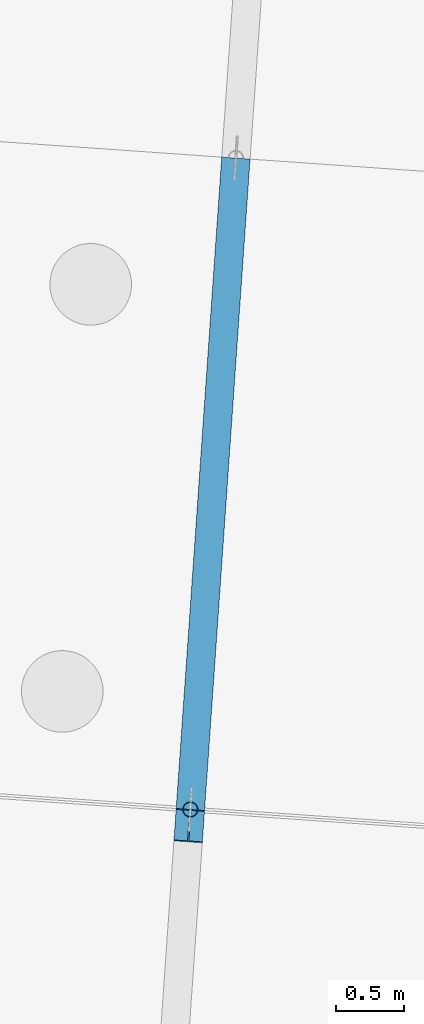
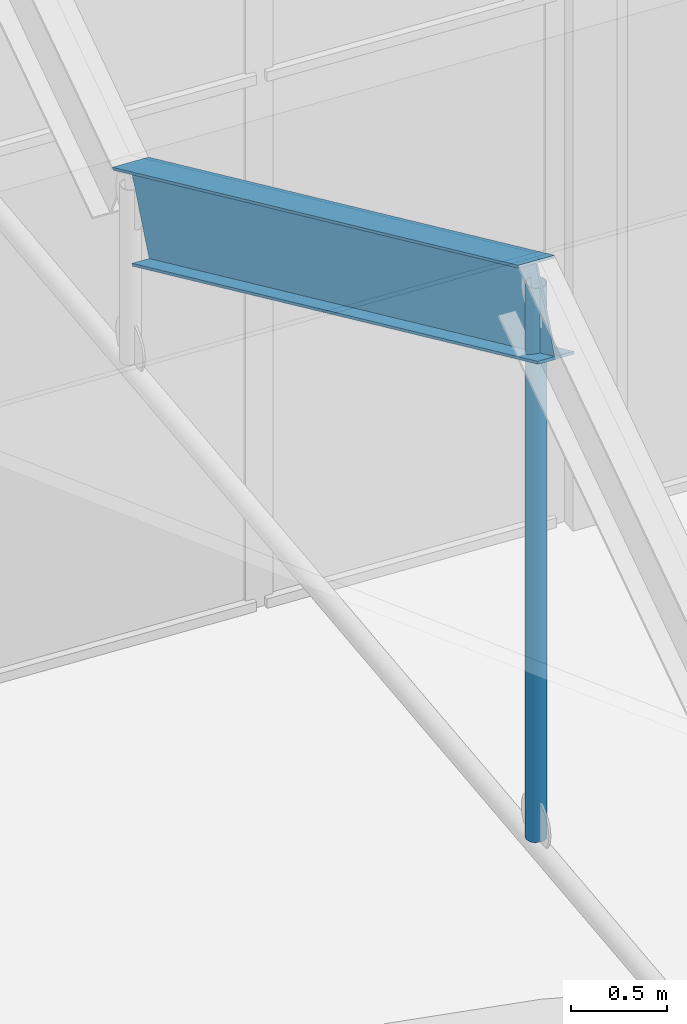
# One storey, part 43 of 157: 2 members.
"""IFC4 building model written with IfcOpenShell, lengths in metres."""

from ifc_helpers import new_model, si_unit, direction, frame, origin, origin_2d, place, context, subcontext, project, spatial, hollow_circle, i_section, extrude, material, material_profile, profile_set, type_object, element, save


model = new_model("IFC4")

# Units and contexts
model_context = context("Model", 3, precision=1e-05, world=origin(), true_north=direction((0.0, 1.0)))
body_context = subcontext(model_context, "Body", "Model", "MODEL_VIEW")
ifc_project = project(units=[si_unit("LENGTHUNIT", "METRE"), si_unit("AREAUNIT", "SQUARE_METRE"), si_unit("VOLUMEUNIT", "CUBIC_METRE"), si_unit("PLANEANGLEUNIT", "RADIAN"), si_unit("MASSUNIT", "GRAM", prefix="KILO")], contexts=[model_context])

# Site, building, storey
site_placement = place(None, origin())
site = spatial("IfcSite", under=ifc_project, at=site_placement, CompositionType="ELEMENT")
building_placement = place(site_placement, origin())
building = spatial("IfcBuilding", under=site, at=building_placement, Name="Windward Yard Aquatics Centre", CompositionType="ELEMENT")
storey_placement = place(building_placement, origin())
storey = spatial("IfcBuildingStorey", under=building, at=storey_placement, Name="L00", CompositionType="ELEMENT", Elevation=0.0)

# Members
ifc_material = material(Name="Steel S355", Category="steel")
ifc_material_profile_1 = material_profile(ifc_material, hollow_circle(Radius=0.05712890625, WallThickness=0.006103515625, at=origin_2d()), Name="CHS114x6")
ifc_profile_set_1 = profile_set([ifc_material_profile_1], Name="Steel S355")
member_type_1 = type_object("IfcMemberType", Name="W CHS114x6 post", PredefinedType="POST", material=ifc_profile_set_1)
member_1_placement = place(storey_placement, frame((86.75048828125, 123.1533203125, 9.25), z_axis=(0.0, 0.0, 1.0), x_axis=(1.0, 0.0, 0.0)))
element("IfcMember", 1, at=member_1_placement, inside=storey, type_object=member_type_1, Name="W.STRUT.3.1", PredefinedType="POST", context=body_context, shape_type="SweptSolid", body=[
    extrude(hollow_circle(Radius=0.05712890625, WallThickness=0.006103515625, at=origin_2d()), origin(), (0.0, 0.0, 1.0), 3.510009765625),
])
ifc_material_profile_2 = material_profile(ifc_material, i_section(OverallWidth=0.208984375, OverallDepth=0.532958984375, WebThickness=0.01025390625, FlangeThickness=0.015625, at=origin_2d()), Name="W530x92")
ifc_profile_set_2 = profile_set([ifc_material_profile_2], Name="Steel S355")
member_type_2 = type_object("IfcMemberType", Name="W W530x92 rafter", PredefinedType="RAFTER", material=ifc_profile_set_2)
member_2_placement = place(storey_placement, frame((86.7421875, 123.0341796875, 12.66162109375), z_axis=(0.062371148263, 0.892257717645, -0.447197948527), x_axis=(-0.997565729611, 0.069732453745, 0.0)))
element("IfcMember", 2, at=member_2_placement, inside=storey, type_object=member_type_2, Name="W.RAF.3.2", PredefinedType="RAFTER", context=body_context, shape_type="SweptSolid", body=[
    extrude(i_section(OverallWidth=0.208984375, OverallDepth=0.532958984375, WebThickness=0.01025390625, FlangeThickness=0.015625, at=origin_2d()), origin(), (0.0, 0.0, 1.0), 5.366455078125),
])

save(model, "model.ifc")
